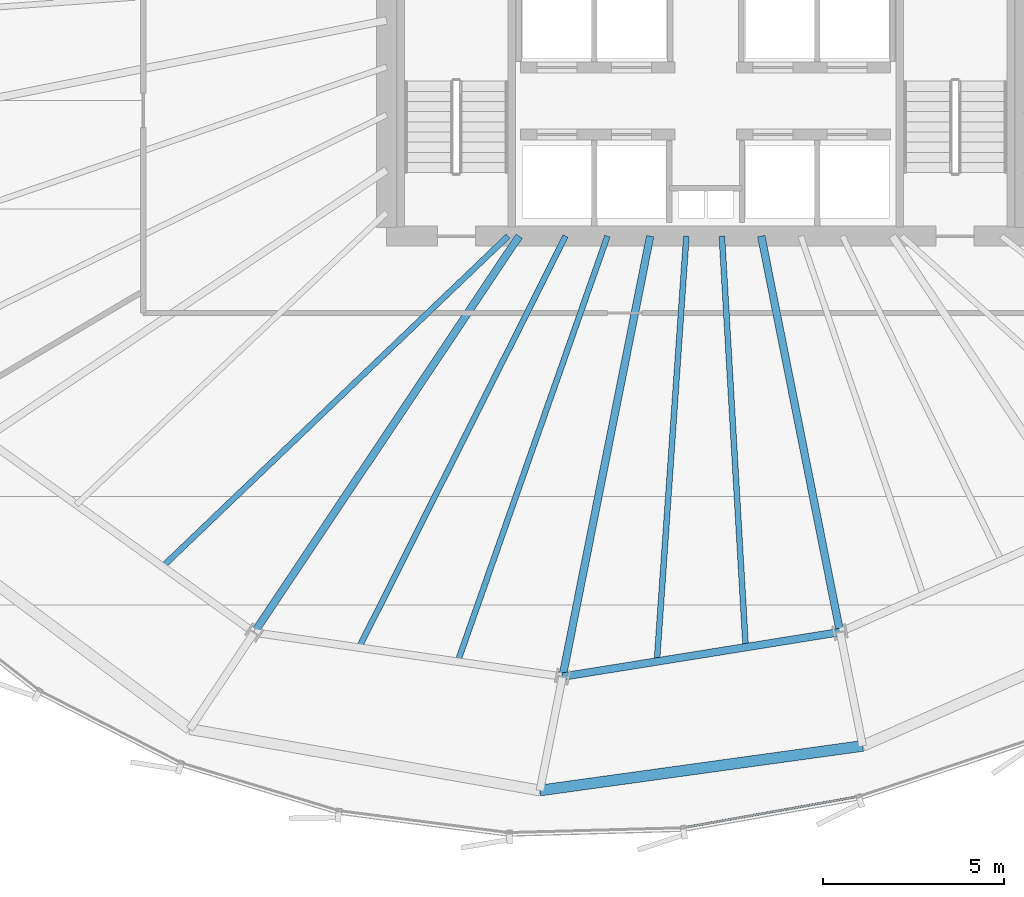
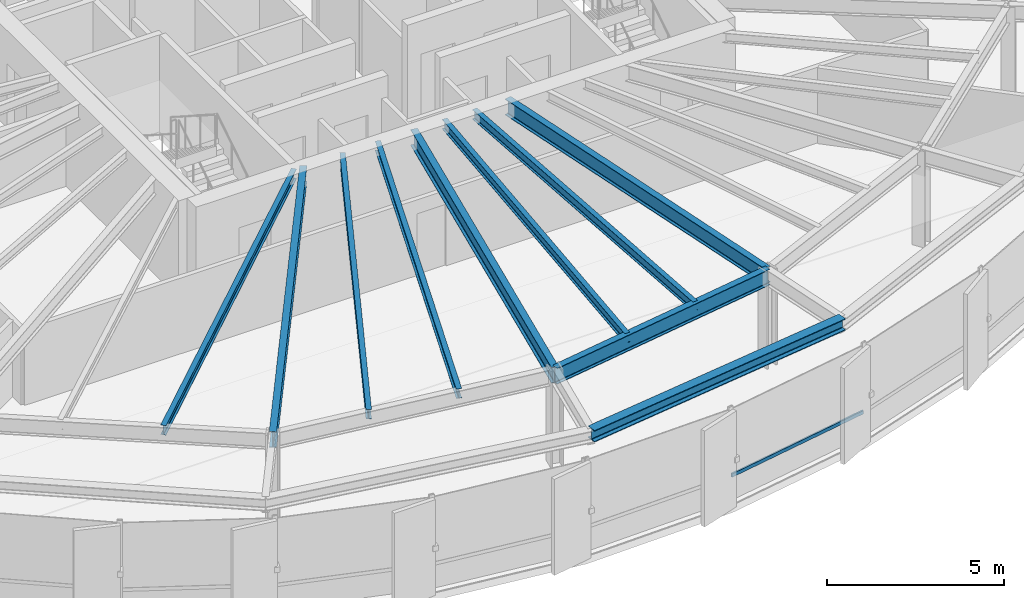
# One storey, part 6 of 34: 10 beams, 1 member, 1 element without a shape of its own.
"""IFC4 building model written with IfcOpenShell, lengths in metres."""

from ifc_helpers import new_model, si_unit, direction, frame, origin, origin_2d, place, context, subcontext, project, spatial, hollow_rectangle, i_section, extrude, source, transform, mapped, material, layer, layer_set, material_profile, profile_set, type_object, element, aggregate, save


model = new_model("IFC4")

# Units and contexts
model_context = context("Model", 3, precision=1e-05, world=origin(), true_north=direction((0.0, 1.0)))
body_context = subcontext(model_context, "Body", "Model", "MODEL_VIEW")
ifc_project = project(units=[si_unit("LENGTHUNIT", "METRE"), si_unit("AREAUNIT", "SQUARE_METRE"), si_unit("VOLUMEUNIT", "CUBIC_METRE"), si_unit("PLANEANGLEUNIT", "RADIAN"), si_unit("MASSUNIT", "GRAM", prefix="KILO"), si_unit("THERMODYNAMICTEMPERATUREUNIT", "KELVIN")], contexts=[model_context])

# Site, building, storey
site_placement = place(None, origin())
site = spatial("IfcSite", under=ifc_project, at=site_placement, CompositionType="ELEMENT")
building_placement = place(site_placement, origin())
building = spatial("IfcBuilding", under=site, at=building_placement, Name="Kethvar Cultural Tower", CompositionType="ELEMENT")
storey_placement = place(building_placement, frame((0.0, 0.0, 125.199951171875)))
storey = spatial("IfcBuildingStorey", under=building, at=storey_placement, Name="L31", CompositionType="ELEMENT", Elevation=125.199951171875)

# Beams
ifc_material_1 = material(Name="Steel S355J2", Category="steel")
ifc_material_profile_1 = material_profile(ifc_material_1, i_section(OverallWidth=0.2099609375, OverallDepth=0.550048828125, WebThickness=0.010986328125, FlangeThickness=0.01708984375, FilletRadius=0.02392578125, at=origin_2d()), Name="Steel S355J2 — IPE550")
ifc_profile_set_1 = profile_set([ifc_material_profile_1], Name="Steel S355J2 — IPE550")
beam_type_1 = type_object("IfcBeamType", Name="BM-IPE550", PredefinedType="BEAM", material=ifc_profile_set_1)
shared_shape_1 = source(origin(), body_context, "Body", "SweptSolid", [
    extrude(i_section(OverallWidth=0.2099609375, OverallDepth=0.550048828125, WebThickness=0.010986328125, FlangeThickness=0.01708984375, FilletRadius=0.02392578125, at=origin_2d()), origin(), (0.0, 0.0, 1.0), 13.147216796875),
])
beam_1_placement = place(storey_placement, frame((41.655029296875, 20.10009765625, 3.072998046875), z_axis=(-0.555565525446, -0.831472757783, 0.0), x_axis=(0.831472757783, -0.555565525446, 0.0)))
element("IfcBeam", 1, at=beam_1_placement, inside=storey, type_object=beam_type_1, Name="L31 Primary Radial Beam RB-11", PredefinedType="BEAM", context=body_context, shape_type="MappedRepresentation", body=[
    mapped(shared_shape_1, transform((0.0, 0.0, 0.0), scale=1.0)),
])
shared_shape_2 = source(origin(), body_context, "Body", "SweptSolid", [
    extrude(i_section(OverallWidth=0.2099609375, OverallDepth=0.550048828125, WebThickness=0.010986328125, FlangeThickness=0.01708984375, FilletRadius=0.02392578125, at=origin_2d()), origin(), (0.0, 0.0, 1.0), 12.384521484375),
])
beam_2_placement = place(storey_placement, frame((45.268310546875, 20.10009765625, 3.072998046875), z_axis=(-0.195084858678, -0.980786367113, 0.0), x_axis=(0.980786367113, -0.195084858678, 0.0)))
element("IfcBeam", 2, at=beam_2_placement, inside=storey, type_object=beam_type_1, Name="L31 Primary Radial Beam RB-12", PredefinedType="BEAM", context=body_context, shape_type="MappedRepresentation", body=[
    mapped(shared_shape_2, transform((0.0, 0.0, 0.0), scale=1.0)),
])
shared_shape_3 = source(origin(), body_context, "Body", "SweptSolid", [
    extrude(i_section(OverallWidth=0.2099609375, OverallDepth=0.550048828125, WebThickness=0.010986328125, FlangeThickness=0.01708984375, FilletRadius=0.02392578125, at=origin_2d()), origin(), (0.0, 0.0, 1.0), 11.131591796875),
])
beam_3_placement = place(storey_placement, frame((48.33154296875, 20.10009765625, 3.072998046875), z_axis=(0.195107998266, -0.980781764213, 0.0), x_axis=(0.980781764213, 0.195107998266, 0.0)))
element("IfcBeam", 3, at=beam_3_placement, inside=storey, type_object=beam_type_1, Name="L31 Primary Radial Beam RB-13", PredefinedType="BEAM", context=body_context, shape_type="MappedRepresentation", body=[
    mapped(shared_shape_3, transform((0.0, 0.0, 0.0), scale=1.0)),
])
ifc_material_profile_2 = material_profile(ifc_material_1, i_section(OverallWidth=0.159912109375, OverallDepth=0.330078125, WebThickness=0.007568359375, FlangeThickness=0.011474609375, FilletRadius=0.01806640625, at=origin_2d()), Name="Steel S355J2 — IPE330")
ifc_profile_set_2 = profile_set([ifc_material_profile_2], Name="Steel S355J2 — IPE330")
beam_type_2 = type_object("IfcBeamType", Name="BM-J330", PredefinedType="JOIST", material=ifc_profile_set_2)
shared_shape_4 = source(origin(), body_context, "Body", "SweptSolid", [
    extrude(i_section(OverallWidth=0.159912109375, OverallDepth=0.330078125, WebThickness=0.007568359375, FlangeThickness=0.011474609375, FilletRadius=0.01806640625, at=origin_2d()), origin(), (0.0, 0.0, 1.0), 13.1826171875),
])
beam_4_placement = place(storey_placement, frame((41.35009765625, 20.10009765625, 3.18310546875), z_axis=(-0.722573880181, -0.691293705801, 0.0), x_axis=(0.691293705801, -0.722573880181, 0.0)))
element("IfcBeam", 4, at=beam_4_placement, inside=storey, type_object=beam_type_2, Name="L31 Composite Floor Joist J-10B", PredefinedType="JOIST", context=body_context, shape_type="MappedRepresentation", body=[
    mapped(shared_shape_4, transform((0.0, 0.0, 0.0), scale=1.0)),
])
shared_shape_5 = source(origin(), body_context, "Body", "SweptSolid", [
    extrude(i_section(OverallWidth=0.159912109375, OverallDepth=0.330078125, WebThickness=0.007568359375, FlangeThickness=0.011474609375, FilletRadius=0.01806640625, at=origin_2d()), origin(), (0.0, 0.0, 1.0), 12.693603515625),
])
beam_5_placement = place(storey_placement, frame((42.935302734375, 20.10009765625, 3.18310546875), z_axis=(-0.448582495233, -0.893741430712, 0.0), x_axis=(0.893741430712, -0.448582495233, 0.0)))
element("IfcBeam", 5, at=beam_5_placement, inside=storey, type_object=beam_type_2, Name="L31 Composite Floor Joist J-11A", PredefinedType="JOIST", context=body_context, shape_type="MappedRepresentation", body=[
    mapped(shared_shape_5, transform((0.0, 0.0, 0.0), scale=1.0)),
])
shared_shape_6 = source(origin(), body_context, "Body", "SweptSolid", [
    extrude(i_section(OverallWidth=0.159912109375, OverallDepth=0.330078125, WebThickness=0.007568359375, FlangeThickness=0.011474609375, FilletRadius=0.01806640625, at=origin_2d()), origin(), (0.0, 0.0, 1.0), 12.4384765625),
])
beam_6_placement = place(storey_placement, frame((44.090576171875, 20.10009765625, 3.18310546875), z_axis=(-0.331923676994, -0.943306245421, 0.0), x_axis=(0.943306245421, -0.331923676994, 0.0)))
element("IfcBeam", 6, at=beam_6_placement, inside=storey, type_object=beam_type_2, Name="L31 Composite Floor Joist J-11B", PredefinedType="JOIST", context=body_context, shape_type="MappedRepresentation", body=[
    mapped(shared_shape_6, transform((0.0, 0.0, 0.0), scale=1.0)),
])
shared_shape_7 = source(origin(), body_context, "Body", "SweptSolid", [
    extrude(i_section(OverallWidth=0.2099609375, OverallDepth=0.550048828125, WebThickness=0.010986328125, FlangeThickness=0.01708984375, FilletRadius=0.02392578125, at=origin_2d()), origin(), (0.0, 0.0, 1.0), 7.749267578125),
])
beam_7_placement = place(storey_placement, frame((42.852294921875, 7.95361328125, 3.072998046875), z_axis=(0.987348257569, 0.158566762831, 0.0), x_axis=(-0.158566762831, 0.987348257569, 0.0)))
element("IfcBeam", 7, at=beam_7_placement, inside=storey, type_object=beam_type_1, Name="L31 Column Ring Tie Beam CR-12", PredefinedType="BEAM", context=body_context, shape_type="MappedRepresentation", body=[
    mapped(shared_shape_7, transform((0.0, 0.0, 0.0), scale=1.0)),
])
ifc_material_profile_3 = material_profile(ifc_material_1, i_section(OverallWidth=0.300048828125, OverallDepth=0.39990234375, WebThickness=0.013427734375, FlangeThickness=0.02392578125, FilletRadius=0.027099609375, at=origin_2d()), Name="Steel S355J2 — HEB400")
ifc_profile_set_3 = profile_set([ifc_material_profile_3], Name="Steel S355J2 — HEB400")
beam_type_3 = type_object("IfcBeamType", Name="BM-SP400", PredefinedType="SPANDREL", material=ifc_profile_set_3)
shared_shape_8 = source(origin(), body_context, "Body", "SweptSolid", [
    extrude(i_section(OverallWidth=0.300048828125, OverallDepth=0.39990234375, WebThickness=0.013427734375, FlangeThickness=0.02392578125, FilletRadius=0.027099609375, at=origin_2d()), origin(), (0.0, 0.0, 1.0), 8.984130859375),
])
beam_8_placement = place(storey_placement, frame((42.22802734375, 4.81494140625, 3.14794921875), z_axis=(0.990602728928, 0.136770733127, 0.0), x_axis=(-0.136770733127, 0.990602728928, 0.0)))
element("IfcBeam", 8, at=beam_8_placement, inside=storey, type_object=beam_type_3, Name="L31 Perimeter Spandrel Beam SP-12", PredefinedType="SPANDREL", context=body_context, shape_type="MappedRepresentation", body=[
    mapped(shared_shape_8, transform((0.0, 0.0, 0.0), scale=1.0)),
])
shared_shape_9 = source(origin(), body_context, "Body", "SweptSolid", [
    extrude(i_section(OverallWidth=0.159912109375, OverallDepth=0.330078125, WebThickness=0.007568359375, FlangeThickness=0.011474609375, FilletRadius=0.01806640625, at=origin_2d()), origin(), (0.0, 0.0, 1.0), 11.7568359375),
])
beam_9_placement = place(storey_placement, frame((46.266357421875, 20.10009765625, 3.18310546875), z_axis=(-0.069129203877, -0.997607715072, 0.0), x_axis=(0.997607715072, -0.069129203877, 0.0)))
element("IfcBeam", 9, at=beam_9_placement, inside=storey, type_object=beam_type_2, Name="L31 Composite Floor Joist J-12A", PredefinedType="JOIST", context=body_context, shape_type="MappedRepresentation", body=[
    mapped(shared_shape_9, transform((0.0, 0.0, 0.0), scale=1.0)),
])
shared_shape_10 = source(origin(), body_context, "Body", "SweptSolid", [
    extrude(i_section(OverallWidth=0.159912109375, OverallDepth=0.330078125, WebThickness=0.007568359375, FlangeThickness=0.011474609375, FilletRadius=0.01806640625, at=origin_2d()), origin(), (0.0, 0.0, 1.0), 11.354736328125),
])
beam_10_placement = place(storey_placement, frame((47.245849609375, 20.10009765625, 3.18310546875), z_axis=(0.057795585741, -0.998328438075, 0.0), x_axis=(0.998328438075, 0.057795585741, 0.0)))
element("IfcBeam", 10, at=beam_10_placement, inside=storey, type_object=beam_type_2, Name="L31 Composite Floor Joist J-12B", PredefinedType="JOIST", context=body_context, shape_type="MappedRepresentation", body=[
    mapped(shared_shape_10, transform((0.0, 0.0, 0.0), scale=1.0)),
])

# Curtain wall, member
ifc_material_2 = material(Name="Aluminium 6063-T6", Category="aluminium")
ifc_layer = layer(ifc_material_2, 0.179931640625, Name="Aluminium 6063-T6", Category="aluminium")
ifc_layer_set = layer_set([ifc_layer], Name="Aluminium 6063-T6 (180 mm)")
curtain_wall_type = type_object("IfcCurtainWallType", Name="CW-SYS-03-Z2", PredefinedType="NOTDEFINED", material=ifc_layer_set)
curtain_wall_placement = place(storey_placement, origin())
curtain_wall = element("IfcCurtainWall", 11, at=curtain_wall_placement, inside=storey, type_object=curtain_wall_type, Name="L31 Curtain Wall Run 05", PredefinedType="NOTDEFINED")
ifc_material_profile_4 = material_profile(ifc_material_2, hollow_rectangle(XDim=0.054931640625, YDim=0.1201171875, WallThickness=0.00390625, at=origin_2d()), Name="Aluminium 6063-T6 — RHS120x55x4")
ifc_profile_set_4 = profile_set([ifc_material_profile_4], Name="Aluminium 6063-T6 — RHS120x55x4")
member_type = type_object("IfcMemberType", Name="CW-SYS-03-Z2-TRN", PredefinedType="USERDEFINED", material=ifc_profile_set_4)
shared_shape_11 = source(origin(), body_context, "Body", "SweptSolid", [
    extrude(hollow_rectangle(XDim=0.054931640625, YDim=0.1201171875, WallThickness=0.00390625, at=origin_2d()), origin(), (0.0, 0.0, 1.0), 4.849609375),
])
member_placement = place(storey_placement, frame((46.215576171875, 3.794677734375, 0.949951171875), z_axis=(0.984472346574, 0.175539735759, 0.0), x_axis=(-0.175539735759, 0.984472346574, 0.0)))
member = element("IfcMember", 12, at=member_placement, type_object=member_type, Name="CW-L31-R05 Transom 2", ObjectType="TRANSOM", PredefinedType="USERDEFINED", context=body_context, shape_type="MappedRepresentation", body=[
    mapped(shared_shape_11, transform((0.0, 0.0, 0.0), scale=1.0)),
])
aggregate(curtain_wall, [member])

save(model, "model.ifc")
